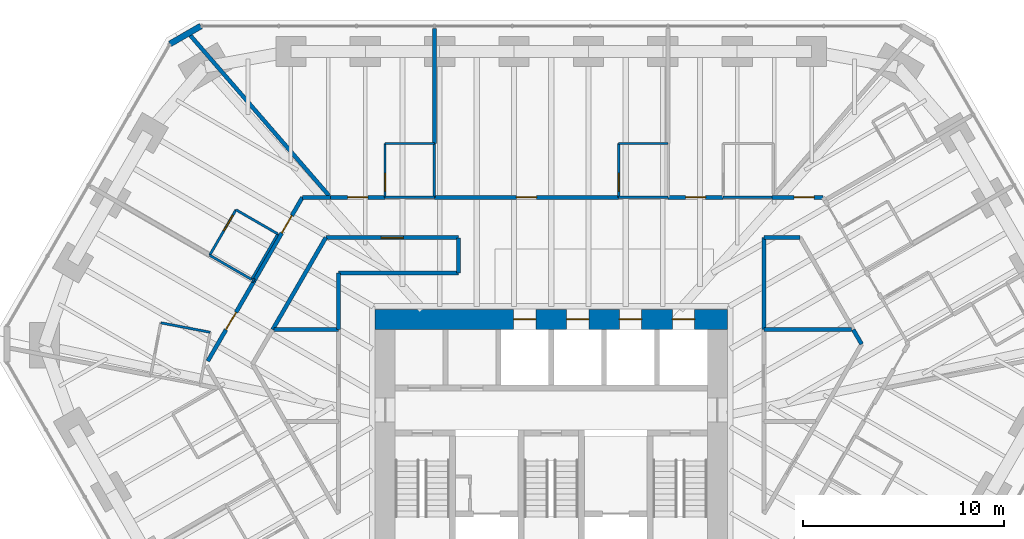
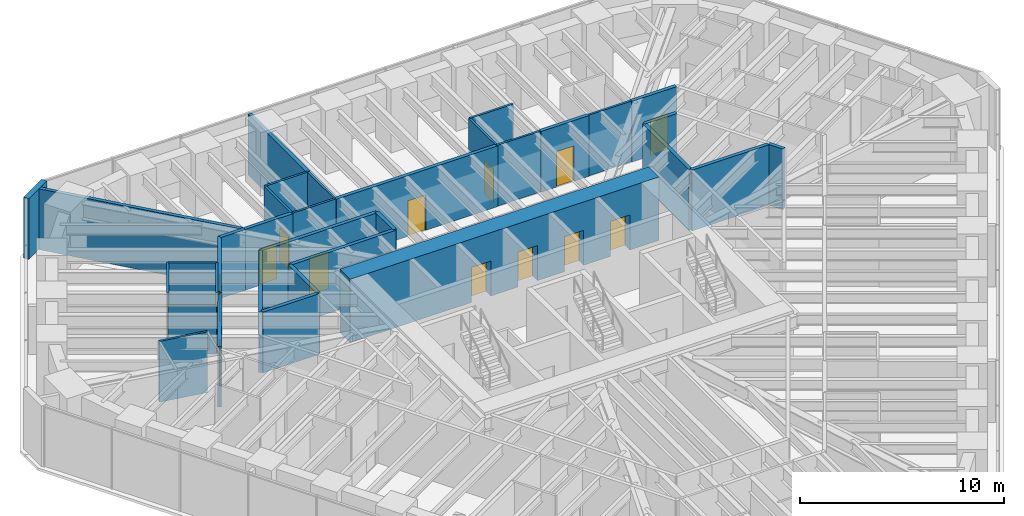
# One storey, part 14 of 17: 35 walls, 14 doors, 14 openings.
"""IFC4 building model written with IfcOpenShell, lengths in metres."""

import ifcopenshell
import ifcopenshell.guid

model = None  # the IFC model being written
_history = None  # IfcOwnerHistory: only IFC2X3 demands one
_inside = {}  # id of a spatial element -> (the spatial element, [elements in it])
_under = {}  # id of a project, library or spatial element -> (it, [spatial elements below it])
_declared = {}  # id of a project -> (the project, [libraries it declares])
_typed = {}  # id of a type object -> (the type object, [elements of that type])
_made_of = {}  # id of a material, layer set ... -> (it, [elements and type objects made of it])


def new_model(schema):
    """Start an empty IFC model of exactly this schema.

    Asked for "IFC4X3", IfcOpenShell would pick the latest addendum, in which some entities
    have other attributes; the version numbers below select the first issue.
    IFC2X3 requires an IfcOwnerHistory on every rooted entity: one is made here for all.
    """
    global model, _history
    if schema == "IFC4X3":
        model = ifcopenshell.file(schema_version=(4, 3, 0, 0))
    else:
        model = ifcopenshell.file(schema=schema)
    _inside.clear()
    _under.clear()
    _declared.clear()
    _typed.clear()
    _made_of.clear()
    _history = None
    if model.schema == "IFC2X3":
        org = make("IfcOrganization", Name="unknown")
        user = make(
            "IfcPersonAndOrganization",
            ThePerson=make("IfcPerson", FamilyName="unknown"),
            TheOrganization=org,
        )
        app = make(
            "IfcApplication",
            ApplicationDeveloper=org,
            Version="unknown",
            ApplicationFullName="unknown",
            ApplicationIdentifier="unknown",
        )
        _history = make(
            "IfcOwnerHistory",
            OwningUser=user,
            OwningApplication=app,
            ChangeAction="ADDED",
            CreationDate=0,
        )
    return model


def make(cls, **values):
    """One entity of the class cls with the attributes given. An attribute that is None is left unset."""
    return model.create_entity(
        cls, **{name: value for name, value in values.items() if value is not None}
    )


def rooted(cls, **values):
    """An entity with a GlobalId (a new one), such as an element, a storey or a relation."""
    return make(cls, GlobalId=ifcopenshell.guid.new(), OwnerHistory=_history, **values)


def si_unit(unit_type, name, prefix=None):
    """IfcSIUnit, for example si_unit("LENGTHUNIT", "METRE", prefix="MILLI")."""
    return make("IfcSIUnit", UnitType=unit_type, Prefix=prefix, Name=name)


def assignment(units):
    """IfcUnitAssignment: the units of a project."""
    return None if units is None else make("IfcUnitAssignment", Units=units)


def point(xyz):
    """IfcCartesianPoint."""
    return None if xyz is None else make("IfcCartesianPoint", Coordinates=xyz)


def direction(xyz):
    """IfcDirection."""
    return None if xyz is None else make("IfcDirection", DirectionRatios=xyz)


def frame(location, z_axis=None, x_axis=None):
    """IfcAxis2Placement3D, a coordinate frame: its origin and axes. An axis left out is left unset."""
    return make(
        "IfcAxis2Placement3D",
        Location=point(location),
        Axis=direction(z_axis),
        RefDirection=direction(x_axis),
    )


def frame_2d(location, x_axis=None):
    """IfcAxis2Placement2D, a coordinate frame in the plane: its origin and x axis."""
    return make(
        "IfcAxis2Placement2D", Location=point(location), RefDirection=direction(x_axis)
    )


def origin():
    """The frame at (0, 0, 0) with its axes left unset."""
    return frame((0.0, 0.0, 0.0))


def place(relative_to, where):
    """IfcLocalPlacement: puts the frame where relative to a parent placement (None: the world)."""
    return make(
        "IfcLocalPlacement", PlacementRelTo=relative_to, RelativePlacement=where
    )


def context(
    kind, dimensions, precision=None, world=None, true_north=None, identifier=None
):
    """IfcGeometricRepresentationContext, for example the 3D "Model" context."""
    return make(
        "IfcGeometricRepresentationContext",
        ContextIdentifier=identifier,
        ContextType=kind,
        CoordinateSpaceDimension=dimensions,
        Precision=precision,
        WorldCoordinateSystem=world,
        TrueNorth=true_north,
    )


def subcontext(parent, identifier, kind, view, scale=None):
    """IfcGeometricRepresentationSubContext, for example "Body" below "Model"."""
    return make(
        "IfcGeometricRepresentationSubContext",
        ContextIdentifier=identifier,
        ContextType=kind,
        ParentContext=parent,
        TargetScale=scale,
        TargetView=view,
    )


def project(units=None, contexts=None):
    """IfcProject with its units and contexts."""
    return rooted(
        "IfcProject",
        Name="project",
        RepresentationContexts=contexts,
        UnitsInContext=assignment(units),
    )


def spatial(cls, under=None, at=None, **own):
    """A site, building, storey or space (cls), placed at a placement, below another one or the project."""
    s = rooted(cls, ObjectPlacement=at, **own)
    if under is not None:
        _under.setdefault(under.id(), (under, []))[1].append(s)
    return s


def profile(cls, at=None, kind="AREA", **sizes):
    """A parametric profile (cls). Its sizes go by their IFC names, for example OverallWidth=200.0."""
    return make(cls, ProfileType=kind, Position=at, **sizes)


def rectangle(**sizes):
    """IfcRectangleProfileDef."""
    return profile("IfcRectangleProfileDef", **sizes)


def extrude(swept, where, along, depth):
    """IfcExtrudedAreaSolid: the profile swept, set in the frame where, extruded along a direction by depth."""
    return make(
        "IfcExtrudedAreaSolid",
        SweptArea=swept,
        Position=where,
        ExtrudedDirection=direction(along),
        Depth=depth,
    )


def shape(context_of_items, identifier, shape_type, items):
    """IfcShapeRepresentation: the items that make up one representation, for example the "Body"."""
    return make(
        "IfcShapeRepresentation",
        ContextOfItems=context_of_items,
        RepresentationIdentifier=identifier,
        RepresentationType=shape_type,
        Items=items,
    )


def material(Name=None, Category=None):
    """IfcMaterial."""
    return make("IfcMaterial", Name=Name, Category=Category)


def layer(
    of_material, thickness, ventilated=None, Name=None, Category=None, Priority=None
):
    """IfcMaterialLayer: one layer of a wall or slab, of a material (None: an air gap)."""
    return make(
        "IfcMaterialLayer",
        Material=of_material,
        LayerThickness=thickness,
        IsVentilated=ventilated,
        Name=Name,
        Category=Category,
        Priority=Priority,
    )


def layer_set(layers, Name=None):
    """IfcMaterialLayerSet."""
    return make("IfcMaterialLayerSet", MaterialLayers=layers, LayerSetName=Name)


def made_of(thing, what):
    """Note that an element or type object is made of a material, layer set ...; save() writes the relation."""
    if what is not None:
        _made_of.setdefault(what.id(), (what, []))[1].append(thing)
    return thing


def type_object(cls, material=None, **own):
    """A type object (cls), such as IfcWallType, which elements share."""
    return made_of(rooted(cls, **own), material)


def element(
    cls,
    number,
    at=None,
    inside=None,
    cuts=None,
    type_object=None,
    material=None,
    context=None,
    identifier="Body",
    shape_type=None,
    held_by="IfcProductDefinitionShape",
    body=None,
    shapes=None,
    **own,
):
    """One element of the class cls, such as IfcWall. Its Tag is "e" and its number.

    at: its placement. inside: the storey or other place that contains it. cuts: it is an
    opening in that element (IfcRelVoidsElement). A single representation is given by context,
    identifier, shape_type and body (its items); several are given by shapes. held_by: the class
    of the entity that holds the representations. save() writes the other relations.
    """
    e = rooted(cls, Tag="e%d" % number, ObjectPlacement=at, **own)
    if body is not None:
        shapes = [shape(context, identifier, shape_type, body)]
    if shapes is not None:
        e.Representation = make(held_by, Representations=shapes)
    if inside is not None:
        _inside.setdefault(inside.id(), (inside, []))[1].append(e)
    if cuts is not None:
        rooted(
            "IfcRelVoidsElement", RelatingBuildingElement=cuts, RelatedOpeningElement=e
        )
    if type_object is not None:
        _typed.setdefault(type_object.id(), (type_object, []))[1].append(e)
    return made_of(e, material)


def fill(opening, filler):
    """IfcRelFillsElement: the door or window that sits in an opening."""
    return rooted(
        "IfcRelFillsElement",
        RelatingOpeningElement=opening,
        RelatedBuildingElement=filler,
    )


def aggregate(whole, parts):
    """IfcRelAggregates: a whole, such as a stair, and the parts it consists of."""
    return rooted("IfcRelAggregates", RelatingObject=whole, RelatedObjects=parts)


def save(model, path):
    """Write the relations noted so far, then the file.

    IfcRelAggregates (storeys below a building ...), IfcRelContainedInSpatialStructure (elements
    in a storey), IfcRelDefinesByType, IfcRelAssociatesMaterial and IfcRelDeclares: one each for
    every whole, place, type object, material and project.
    """
    for whole, parts in _under.values():
        aggregate(whole, parts)
    for where, things in _inside.values():
        rooted(
            "IfcRelContainedInSpatialStructure",
            RelatedElements=things,
            RelatingStructure=where,
        )
    for kind, things in _typed.values():
        rooted("IfcRelDefinesByType", RelatedObjects=things, RelatingType=kind)
    for what, things in _made_of.values():
        rooted("IfcRelAssociatesMaterial", RelatedObjects=things, RelatingMaterial=what)
    for by, libraries in _declared.values():
        rooted("IfcRelDeclares", RelatingContext=by, RelatedDefinitions=libraries)
    model.write(path)


model = new_model("IFC4")

# Units and contexts
model_context = context("Model", 3, precision=1e-05, world=origin(), true_north=direction((0.0, 1.0)))
body_context = subcontext(model_context, "Body", "Model", "MODEL_VIEW")
ifc_project = project(units=[si_unit("LENGTHUNIT", "METRE"), si_unit("AREAUNIT", "SQUARE_METRE"), si_unit("VOLUMEUNIT", "CUBIC_METRE"), si_unit("PLANEANGLEUNIT", "RADIAN"), si_unit("MASSUNIT", "GRAM", prefix="KILO")], contexts=[model_context])

# Site, building, storey
site_placement = place(None, origin())
site = spatial("IfcSite", under=ifc_project, at=site_placement, CompositionType="ELEMENT")
building_placement = place(site_placement, origin())
building = spatial("IfcBuilding", under=site, at=building_placement, Name="Sandreach Pilgrim Tower", CompositionType="ELEMENT")
storey_placement = place(building_placement, frame((0.0, 0.0, 221.199951171875)))
storey = spatial("IfcBuildingStorey", under=building, at=storey_placement, Name="L55", CompositionType="ELEMENT", Elevation=221.199951171875)

# Walls
ifc_material_1 = material(Name="Moisture-resistant gypsum board on steel studs", Category="steel")
ifc_layer_1 = layer(ifc_material_1, 0.1201171875)
ifc_layer_set_1 = layer_set([ifc_layer_1], Name="Bathroom partition 120")
wall_type_1 = type_object("IfcWallType", Name="Bathroom partition 120", PredefinedType="PARTITIONING", material=ifc_layer_set_1)
wall_1_placement = place(storey_placement, frame((-16.953857421875, 9.783447265625, 0.0), z_axis=(0.0, 0.0, 1.0), x_axis=(0.865862137391, -0.500282679124, 0.0)))
element("IfcWall", 1, at=wall_1_placement, inside=storey, type_object=wall_type_1, Name="Bathroom partition L55-010", PredefinedType="PARTITIONING", context=body_context, shape_type="SweptSolid", body=[
    extrude(rectangle(XDim=2.4013671875, YDim=0.1201171875, at=frame_2d((1.20068359375, 0.0))), origin(), (0.0, 0.0, 1.0), 2.8779296875),
])
wall_2_placement = place(storey_placement, frame((-16.929931640625, 5.9599609375, 0.0), z_axis=(0.0, 0.0, 1.0), x_axis=(-0.982097071605, 0.18837553436, 0.0)))
element("IfcWall", 2, at=wall_2_placement, inside=storey, type_object=wall_type_1, Name="Bathroom partition L55-012", PredefinedType="PARTITIONING", context=body_context, shape_type="SweptSolid", body=[
    extrude(rectangle(XDim=2.494873046875, YDim=0.1201171875, at=frame_2d((1.24755859375, 0.0))), origin(), (0.0, 0.0, 1.0), 3.64013671875),
])

# Wall, opening, door
wall_3_placement = place(storey_placement, frame((-15.64990234375, 12.0400390625, 0.0), z_axis=(0.0, 0.0, 1.0), x_axis=(-0.500291685314, -0.865856933682, 0.0)))
wall_3 = element("IfcWall", 3, at=wall_3_placement, inside=storey, type_object=wall_type_1, Name="Bathroom partition L55-017", PredefinedType="PARTITIONING", context=body_context, shape_type="SweptSolid", body=[
    extrude(rectangle(XDim=2.5986328125, YDim=0.1201171875, at=frame_2d((1.29931640625, 0.0))), origin(), (0.0, 0.0, 1.0), 3.64013671875),
])
opening_1_placement = place(wall_3_placement, frame((0.300048828125, 0.0, 0.0)))
opening_1 = element("IfcOpeningElement", 4, at=opening_1_placement, cuts=wall_3, Name="Opening D09-19B", PredefinedType="OPENING", context=body_context, shape_type="SweptSolid", body=[
    extrude(rectangle(XDim=0.89990234375, YDim=2.030029296875, at=frame_2d((0.449951171875, 1.01513671875))), frame((0.0, 0.06005859375, 0.0), z_axis=(0.0, -1.0, 0.0), x_axis=(1.0, 0.0, 0.0)), (0.0, 0.0, 1.0), 0.1201171875),
])
ifc_material_2 = material(Name="Timber door, steel frame", Category="steel")
door_type_1 = type_object("IfcDoorType", Name="Bathroom door", OperationType="SINGLE_SWING_LEFT", PredefinedType="DOOR", material=ifc_material_2)
door_1_placement = place(opening_1_placement, origin())
door_1 = element("IfcDoor", 5, at=door_1_placement, inside=storey, type_object=door_type_1, Name="Door 5519B", OperationType="SINGLE_SWING_LEFT", OverallHeight=2.030029296875, OverallWidth=0.89990234375, PredefinedType="DOOR", context=body_context, shape_type="SweptSolid", body=[
    extrude(rectangle(XDim=0.89990234375, YDim=2.030029296875, at=frame_2d((0.449951171875, 1.01513671875))), frame((0.0, 0.02490234375, 0.0), z_axis=(0.0, -1.0, 0.0), x_axis=(1.0, 0.0, 0.0)), (0.0, 0.0, 1.0), 0.050048828125),
])
fill(opening_1, door_1)

# Walls
wall_4_placement = place(storey_placement, frame((-14.8701171875, 8.590087890625, 0.0), z_axis=(0.0, 0.0, 1.0), x_axis=(0.500291685314, 0.865856933682, 0.0)))
element("IfcWall", 6, at=wall_4_placement, inside=storey, type_object=wall_type_1, Name="Bathroom partition L55-021", PredefinedType="PARTITIONING", context=body_context, shape_type="SweptSolid", body=[
    extrude(rectangle(XDim=2.5986328125, YDim=0.1201171875, at=frame_2d((1.29931640625, 0.0))), origin(), (0.0, 0.0, 1.0), 3.64013671875),
])
wall_5_placement = place(storey_placement, frame((-13.570068359375, 10.840087890625, 0.0), z_axis=(0.0, 0.0, 1.0), x_axis=(-0.866177122335, 0.499737123639, 0.0)))
element("IfcWall", 7, at=wall_5_placement, inside=storey, type_object=wall_type_1, Name="Bathroom partition L55-029", PredefinedType="PARTITIONING", context=body_context, shape_type="SweptSolid", body=[
    extrude(rectangle(XDim=2.401123046875, YDim=0.1201171875, at=frame_2d((1.20068359375, 0.0))), origin(), (0.0, 0.0, 1.0), 3.64013671875),
])

# Wall, opening, door
wall_6_placement = place(storey_placement, frame((-8.25, 15.330078125, 0.0), z_axis=(0.0, 0.0, 1.0), x_axis=(0.0, -1.0, 0.0)))
wall_6 = element("IfcWall", 8, at=wall_6_placement, inside=storey, type_object=wall_type_1, Name="Bathroom partition L55-045", PredefinedType="PARTITIONING", context=body_context, shape_type="SweptSolid", body=[
    extrude(rectangle(XDim=2.670166015625, YDim=0.1201171875, at=frame_2d((1.3349609375, 0.0))), origin(), (0.0, 0.0, 1.0), 3.64013671875),
])
opening_2_placement = place(wall_6_placement, frame((1.469970703125, 0.0, 0.0)))
opening_2 = element("IfcOpeningElement", 9, at=opening_2_placement, cuts=wall_6, Name="Opening D09-01B", PredefinedType="OPENING", context=body_context, shape_type="SweptSolid", body=[
    extrude(rectangle(XDim=0.89990234375, YDim=2.030029296875, at=frame_2d((0.449951171875, 1.01513671875))), frame((0.0, 0.06005859375, 0.0), z_axis=(0.0, -1.0, 0.0), x_axis=(1.0, 0.0, 0.0)), (0.0, 0.0, 1.0), 0.1201171875),
])
door_2_placement = place(opening_2_placement, origin())
door_2 = element("IfcDoor", 10, at=door_2_placement, inside=storey, type_object=door_type_1, Name="Door 5501B", OperationType="SINGLE_SWING_RIGHT", OverallHeight=2.030029296875, OverallWidth=0.89990234375, PredefinedType="DOOR", context=body_context, shape_type="SweptSolid", body=[
    extrude(rectangle(XDim=0.89990234375, YDim=2.030029296875, at=frame_2d((0.449951171875, 1.01513671875))), frame((0.0, 0.02490234375, 0.0), z_axis=(0.0, -1.0, 0.0), x_axis=(1.0, 0.0, 0.0)), (0.0, 0.0, 1.0), 0.050048828125),
])
fill(opening_2, door_2)

# Walls
for number, where, z_axis, x_axis, name in (
    (11, (-5.800048828125, 12.659912109375, 0.0), (0.0, 0.0, 1.0), (-1.0, 0.0, 0.0), "Bathroom partition L55-050"),
    (12, (-5.800048828125, 15.330078125, 0.0), (0.0, 0.0, 1.0), (-1.0, 0.0, 0.0), "Bathroom partition L55-051"),
):
    element("IfcWall", number, at=place(storey_placement, frame(where, z_axis=z_axis, x_axis=x_axis)), inside=storey, type_object=wall_type_1, Name=name, PredefinedType="PARTITIONING", context=body_context, shape_type="SweptSolid", body=[
        extrude(rectangle(XDim=2.449951171875, YDim=0.1201171875, at=frame_2d((1.22509765625, 0.0))), origin(), (0.0, 0.0, 1.0), 3.64013671875),
    ])
wall_7_placement = place(storey_placement, frame((-5.800048828125, 15.330078125, 0.0), z_axis=(0.0, 0.0, 1.0), x_axis=(0.0, -1.0, 0.0)))
element("IfcWall", 13, at=wall_7_placement, inside=storey, type_object=wall_type_1, Name="Bathroom partition L55-052", PredefinedType="PARTITIONING", context=body_context, shape_type="SweptSolid", body=[
    extrude(rectangle(XDim=2.670166015625, YDim=0.1201171875, at=frame_2d((1.3349609375, 0.0))), origin(), (0.0, 0.0, 1.0), 3.64013671875),
])

# Wall, opening, door
wall_8_placement = place(storey_placement, frame((3.35009765625, 15.330078125, 0.0), z_axis=(0.0, 0.0, 1.0), x_axis=(0.0, -1.0, 0.0)))
wall_8 = element("IfcWall", 14, at=wall_8_placement, inside=storey, type_object=wall_type_1, Name="Bathroom partition L55-082", PredefinedType="PARTITIONING", context=body_context, shape_type="SweptSolid", body=[
    extrude(rectangle(XDim=2.670166015625, YDim=0.1201171875, at=frame_2d((1.3349609375, 0.0))), origin(), (0.0, 0.0, 1.0), 3.64013671875),
])
opening_3_placement = place(wall_8_placement, frame((1.469970703125, 0.0, 0.0)))
opening_3 = element("IfcOpeningElement", 15, at=opening_3_placement, cuts=wall_8, Name="Opening D09-02B", PredefinedType="OPENING", context=body_context, shape_type="SweptSolid", body=[
    extrude(rectangle(XDim=0.89990234375, YDim=2.030029296875, at=frame_2d((0.449951171875, 1.01513671875))), frame((0.0, 0.06005859375, 0.0), z_axis=(0.0, -1.0, 0.0), x_axis=(1.0, 0.0, 0.0)), (0.0, 0.0, 1.0), 0.1201171875),
])
door_3_placement = place(opening_3_placement, origin())
door_3 = element("IfcDoor", 16, at=door_3_placement, inside=storey, type_object=door_type_1, Name="Door 5502B", OperationType="SINGLE_SWING_RIGHT", OverallHeight=2.030029296875, OverallWidth=0.89990234375, PredefinedType="DOOR", context=body_context, shape_type="SweptSolid", body=[
    extrude(rectangle(XDim=0.89990234375, YDim=2.030029296875, at=frame_2d((0.449951171875, 1.01513671875))), frame((0.0, 0.02490234375, 0.0), z_axis=(0.0, -1.0, 0.0), x_axis=(1.0, 0.0, 0.0)), (0.0, 0.0, 1.0), 0.050048828125),
])
fill(opening_3, door_3)

# Walls
for number, where, z_axis, x_axis, name in (
    (17, (5.800048828125, 12.659912109375, 0.0), (0.0, 0.0, 1.0), (-1.0, 0.0, 0.0), "Bathroom partition L55-092"),
    (18, (5.800048828125, 15.330078125, 0.0), (0.0, 0.0, 1.0), (-1.0, 0.0, 0.0), "Bathroom partition L55-093"),
):
    element("IfcWall", number, at=place(storey_placement, frame(where, z_axis=z_axis, x_axis=x_axis)), inside=storey, type_object=wall_type_1, Name=name, PredefinedType="PARTITIONING", context=body_context, shape_type="SweptSolid", body=[
        extrude(rectangle(XDim=2.449951171875, YDim=0.1201171875, at=frame_2d((1.22509765625, 0.0))), origin(), (0.0, 0.0, 1.0), 3.64013671875),
    ])
wall_9_placement = place(storey_placement, frame((10.9599609375, 12.659912109375, 0.0), z_axis=(0.0, 0.0, 1.0), x_axis=(-1.0, 0.0, 0.0)))
element("IfcWall", 19, at=wall_9_placement, inside=storey, type_object=wall_type_1, Name="Bathroom partition L55-114", PredefinedType="PARTITIONING", context=body_context, shape_type="SweptSolid", body=[
    extrude(rectangle(XDim=2.429931640625, YDim=0.1201171875, at=frame_2d((1.21484375, 0.0))), origin(), (0.0, 0.0, 1.0), 3.64013671875),
])

# Wall, openings, doors
ifc_material_3 = material(Name="Concrete 10000 psi", Category="concrete")
ifc_layer_2 = layer(ifc_material_3, 1.0)
ifc_layer_set_2 = layer_set([ifc_layer_2], Name="Core wall 1000")
wall_type_2 = type_object("IfcWallType", Name="Core wall 1000", PredefinedType="SHEAR", material=ifc_layer_set_2)
wall_10_placement = place(storey_placement, frame((-8.75, 6.60009765625, 0.0), z_axis=(0.0, 0.0, 1.0), x_axis=(1.0, 0.0, 0.0)))
wall_10 = element("IfcWall", 20, at=wall_10_placement, inside=storey, type_object=wall_type_2, Name="Core wall N L55", PredefinedType="SHEAR", context=body_context, shape_type="SweptSolid", body=[
    extrude(rectangle(XDim=17.5, YDim=1.0, at=frame_2d((8.75, 0.0))), origin(), (0.0, 0.0, 1.0), 3.800048828125),
])
opening_4_placement = place(wall_10_placement, frame((6.887451171875, 0.0, 0.0)))
opening_4 = element("IfcOpeningElement", 21, at=opening_4_placement, cuts=wall_10, Name="Opening LD11", PredefinedType="OPENING", context=body_context, shape_type="SweptSolid", body=[
    extrude(rectangle(XDim=1.10009765625, YDim=2.10009765625, at=frame_2d((0.550048828125, 1.050048828125))), frame((0.0, 0.5, 0.0), z_axis=(0.0, -1.0, 0.0), x_axis=(1.0, 0.0, 0.0)), (0.0, 0.0, 1.0), 1.0),
])
opening_5_placement = place(wall_10_placement, frame((9.512451171875, 0.0, 0.0)))
opening_5 = element("IfcOpeningElement", 22, at=opening_5_placement, cuts=wall_10, Name="Opening LD11", PredefinedType="OPENING", context=body_context, shape_type="SweptSolid", body=[
    extrude(rectangle(XDim=1.10009765625, YDim=2.10009765625, at=frame_2d((0.550048828125, 1.050048828125))), frame((0.0, 0.5, 0.0), z_axis=(0.0, -1.0, 0.0), x_axis=(1.0, 0.0, 0.0)), (0.0, 0.0, 1.0), 1.0),
])
opening_6_placement = place(wall_10_placement, frame((12.137451171875, 0.0, 0.0)))
opening_6 = element("IfcOpeningElement", 23, at=opening_6_placement, cuts=wall_10, Name="Opening LD11", PredefinedType="OPENING", context=body_context, shape_type="SweptSolid", body=[
    extrude(rectangle(XDim=1.10009765625, YDim=2.10009765625, at=frame_2d((0.550048828125, 1.050048828125))), frame((0.0, 0.5, 0.0), z_axis=(0.0, -1.0, 0.0), x_axis=(1.0, 0.0, 0.0)), (0.0, 0.0, 1.0), 1.0),
])
opening_7_placement = place(wall_10_placement, frame((14.762451171875, 0.0, 0.0)))
opening_7 = element("IfcOpeningElement", 24, at=opening_7_placement, cuts=wall_10, Name="Opening LD11", PredefinedType="OPENING", context=body_context, shape_type="SweptSolid", body=[
    extrude(rectangle(XDim=1.10009765625, YDim=2.10009765625, at=frame_2d((0.550048828125, 1.050048828125))), frame((0.0, 0.5, 0.0), z_axis=(0.0, -1.0, 0.0), x_axis=(1.0, 0.0, 0.0)), (0.0, 0.0, 1.0), 1.0),
])
ifc_material_4 = material(Name="Steel door and frame", Category="steel")
door_type_2 = type_object("IfcDoorType", Name="Lift landing door", OperationType="DOUBLE_DOOR_SLIDING", PredefinedType="DOOR", material=ifc_material_4)
door_4_placement = place(opening_4_placement, origin())
door_4 = element("IfcDoor", 25, at=door_4_placement, inside=storey, type_object=door_type_2, Name="Lift landing door Z3A L55", OperationType="DOUBLE_DOOR_SLIDING", OverallHeight=2.10009765625, OverallWidth=1.10009765625, PredefinedType="DOOR", context=body_context, shape_type="SweptSolid", body=[
    extrude(rectangle(XDim=1.10009765625, YDim=2.10009765625, at=frame_2d((0.550048828125, 1.050048828125))), frame((0.0, 0.02490234375, 0.0), z_axis=(0.0, -1.0, 0.0), x_axis=(1.0, 0.0, 0.0)), (0.0, 0.0, 1.0), 0.050048828125),
])
fill(opening_4, door_4)
door_5_placement = place(opening_5_placement, origin())
door_5 = element("IfcDoor", 26, at=door_5_placement, inside=storey, type_object=door_type_2, Name="Lift landing door Z3B L55", OperationType="DOUBLE_DOOR_SLIDING", OverallHeight=2.10009765625, OverallWidth=1.10009765625, PredefinedType="DOOR", context=body_context, shape_type="SweptSolid", body=[
    extrude(rectangle(XDim=1.10009765625, YDim=2.10009765625, at=frame_2d((0.550048828125, 1.050048828125))), frame((0.0, 0.02490234375, 0.0), z_axis=(0.0, -1.0, 0.0), x_axis=(1.0, 0.0, 0.0)), (0.0, 0.0, 1.0), 0.050048828125),
])
fill(opening_5, door_5)
door_6_placement = place(opening_6_placement, origin())
door_6 = element("IfcDoor", 27, at=door_6_placement, inside=storey, type_object=door_type_2, Name="Lift landing door Z3C L55", OperationType="DOUBLE_DOOR_SLIDING", OverallHeight=2.10009765625, OverallWidth=1.10009765625, PredefinedType="DOOR", context=body_context, shape_type="SweptSolid", body=[
    extrude(rectangle(XDim=1.10009765625, YDim=2.10009765625, at=frame_2d((0.550048828125, 1.050048828125))), frame((0.0, 0.02490234375, 0.0), z_axis=(0.0, -1.0, 0.0), x_axis=(1.0, 0.0, 0.0)), (0.0, 0.0, 1.0), 0.050048828125),
])
fill(opening_6, door_6)
door_7_placement = place(opening_7_placement, origin())
door_7 = element("IfcDoor", 28, at=door_7_placement, inside=storey, type_object=door_type_2, Name="Lift landing door Z3D L55", OperationType="DOUBLE_DOOR_SLIDING", OverallHeight=2.10009765625, OverallWidth=1.10009765625, PredefinedType="DOOR", context=body_context, shape_type="SweptSolid", body=[
    extrude(rectangle(XDim=1.10009765625, YDim=2.10009765625, at=frame_2d((0.550048828125, 1.050048828125))), frame((0.0, 0.02490234375, 0.0), z_axis=(0.0, -1.0, 0.0), x_axis=(1.0, 0.0, 0.0)), (0.0, 0.0, 1.0), 0.050048828125),
])
fill(opening_7, door_7)

# Wall, opening, door
ifc_material_5 = material(Name="Gypsum board on steel studs, two layers each side", Category="steel")
ifc_layer_3 = layer(ifc_material_5, 0.199951171875)
ifc_layer_set_3 = layer_set([ifc_layer_3], Name="Corridor wall 200")
wall_type_3 = type_object("IfcWallType", Name="Corridor wall 200", PredefinedType="PARTITIONING", material=ifc_layer_set_3)
wall_11_placement = place(storey_placement, frame((-14.75, 8.510009765625, 0.0), z_axis=(0.0, 0.0, 1.0), x_axis=(0.500618647881, 0.86566793252, 0.0)))
wall_11 = element("IfcWall", 29, at=wall_11_placement, inside=storey, type_object=wall_type_3, Name="Corridor wall L55-024", PredefinedType="PARTITIONING", context=body_context, shape_type="SweptSolid", body=[
    extrude(rectangle(XDim=4.7939453125, YDim=0.199951171875, at=frame_2d((2.39697265625, 0.0))), origin(), (0.0, 0.0, 1.0), 3.64013671875),
])
opening_8_placement = place(wall_11_placement, frame((2.75, 0.0, 0.0)))
opening_8 = element("IfcOpeningElement", 30, at=opening_8_placement, cuts=wall_11, Name="Opening D10-19", PredefinedType="OPENING", context=body_context, shape_type="SweptSolid", body=[
    extrude(rectangle(XDim=1.0, YDim=2.1298828125, at=frame_2d((0.5, 1.06494140625))), frame((0.0, 0.10009765625, 0.0), z_axis=(0.0, -1.0, 0.0), x_axis=(1.0, 0.0, 0.0)), (0.0, 0.0, 1.0), 0.199951171875),
])
ifc_material_6 = material(Name="Steel door and frame", Category="steel")
door_type_3 = type_object("IfcDoorType", Name="Guest room entry door", OperationType="SINGLE_SWING_LEFT", PredefinedType="DOOR", material=ifc_material_6)
door_8_placement = place(opening_8_placement, origin())
door_8 = element("IfcDoor", 31, at=door_8_placement, inside=storey, type_object=door_type_3, Name="Door 5519", OperationType="SINGLE_SWING_RIGHT", OverallHeight=2.1298828125, OverallWidth=1.0, PredefinedType="DOOR", context=body_context, shape_type="SweptSolid", body=[
    extrude(rectangle(XDim=1.0, YDim=2.1298828125, at=frame_2d((0.5, 1.06494140625))), frame((0.0, 0.02490234375, 0.0), z_axis=(0.0, -1.0, 0.0), x_axis=(1.0, 0.0, 0.0)), (0.0, 0.0, 1.0), 0.050048828125),
])
fill(opening_8, door_8)

wall_12_placement = place(storey_placement, frame((-14.739990234375, 8.510009765625, 0.0), z_axis=(0.0, 0.0, 1.0), x_axis=(-0.501513165407, -0.865150012959, 0.0)))
wall_12 = element("IfcWall", 32, at=wall_12_placement, inside=storey, type_object=wall_type_3, Name="Corridor wall L55-025", PredefinedType="PARTITIONING", context=body_context, shape_type="SweptSolid", body=[
    extrude(rectangle(XDim=4.600341796875, YDim=0.199951171875, at=frame_2d((2.30029296875, 0.0))), origin(), (0.0, 0.0, 1.0), 3.64013671875),
])
opening_9_placement = place(wall_12_placement, frame((1.80029296875, 0.0, 0.0)))
opening_9 = element("IfcOpeningElement", 33, at=opening_9_placement, cuts=wall_12, Name="Opening D10-18", PredefinedType="OPENING", context=body_context, shape_type="SweptSolid", body=[
    extrude(rectangle(XDim=1.0, YDim=2.1298828125, at=frame_2d((0.5, 1.06494140625))), frame((0.0, 0.10009765625, 0.0), z_axis=(0.0, -1.0, 0.0), x_axis=(1.0, 0.0, 0.0)), (0.0, 0.0, 1.0), 0.199951171875),
])
door_9_placement = place(opening_9_placement, origin())
door_9 = element("IfcDoor", 34, at=door_9_placement, inside=storey, type_object=door_type_3, Name="Door 5518", OperationType="SINGLE_SWING_LEFT", OverallHeight=2.1298828125, OverallWidth=1.0, PredefinedType="DOOR", context=body_context, shape_type="SweptSolid", body=[
    extrude(rectangle(XDim=1.0, YDim=2.1298828125, at=frame_2d((0.5, 1.06494140625))), frame((0.0, 0.02490234375, 0.0), z_axis=(0.0, -1.0, 0.0), x_axis=(1.0, 0.0, 0.0)), (0.0, 0.0, 1.0), 0.050048828125),
])
fill(opening_9, door_9)

# Wall
wall_13_placement = place(storey_placement, frame((-13.830078125, 6.090087890625, 0.0), z_axis=(0.0, 0.0, 1.0), x_axis=(0.500248310865, 0.865881993967, 0.0)))
element("IfcWall", 35, at=wall_13_placement, inside=storey, type_object=wall_type_3, Name="Corridor wall L55-027", PredefinedType="PARTITIONING", context=body_context, shape_type="SweptSolid", body=[
    extrude(rectangle(XDim=5.277587890625, YDim=0.199951171875, at=frame_2d((2.638671875, 0.0))), origin(), (0.0, 0.0, 1.0), 3.64013671875),
])

# Wall, opening, door
wall_14_placement = place(storey_placement, frame((-11.18994140625, 10.659912109375, 0.0), z_axis=(0.0, 0.0, 1.0), x_axis=(1.0, 0.0, 0.0)))
wall_14 = element("IfcWall", 36, at=wall_14_placement, inside=storey, type_object=wall_type_3, Name="Corridor wall L55-032", PredefinedType="PARTITIONING", context=body_context, shape_type="SweptSolid", body=[
    extrude(rectangle(XDim=6.58984375, YDim=0.199951171875, at=frame_2d((3.294921875, 0.0))), origin(), (0.0, 0.0, 1.0), 3.64013671875),
])
opening_10_placement = place(wall_14_placement, frame((2.7451171875, 0.0, 0.0)))
opening_10 = element("IfcOpeningElement", 37, at=opening_10_placement, cuts=wall_14, Name="Opening D11H-M03", PredefinedType="OPENING", context=body_context, shape_type="SweptSolid", body=[
    extrude(rectangle(XDim=1.10009765625, YDim=2.199951171875, at=frame_2d((0.550048828125, 1.10009765625))), frame((0.0, 0.10009765625, 0.0), z_axis=(0.0, -1.0, 0.0), x_axis=(1.0, 0.0, 0.0)), (0.0, 0.0, 1.0), 0.199951171875),
])
ifc_material_7 = material(Name="Steel door and frame", Category="steel")
door_type_4 = type_object("IfcDoorType", Name="Back of house door", OperationType="SINGLE_SWING_LEFT", PredefinedType="DOOR", material=ifc_material_7)
door_10_placement = place(opening_10_placement, origin())
door_10 = element("IfcDoor", 38, at=door_10_placement, inside=storey, type_object=door_type_4, Name="Door 55M03", OperationType="SINGLE_SWING_LEFT", OverallHeight=2.199951171875, OverallWidth=1.10009765625, PredefinedType="DOOR", context=body_context, shape_type="SweptSolid", body=[
    extrude(rectangle(XDim=1.10009765625, YDim=2.199951171875, at=frame_2d((0.550048828125, 1.10009765625))), frame((0.0, 0.02490234375, 0.0), z_axis=(0.0, -1.0, 0.0), x_axis=(1.0, 0.0, 0.0)), (0.0, 0.0, 1.0), 0.050048828125),
])
fill(opening_10, door_10)

# Walls
wall_15_placement = place(storey_placement, frame((-10.9599609375, 12.659912109375, 0.0), z_axis=(0.0, 0.0, 1.0), x_axis=(-1.0, 0.0, 0.0)))
element("IfcWall", 39, at=wall_15_placement, inside=storey, type_object=wall_type_3, Name="Corridor wall L55-034", PredefinedType="PARTITIONING", context=body_context, shape_type="SweptSolid", body=[
    extrude(rectangle(XDim=1.39013671875, YDim=0.199951171875, at=frame_2d((0.695068359375, 0.0))), origin(), (0.0, 0.0, 1.0), 3.64013671875),
])
wall_16_placement = place(storey_placement, frame((-10.550048828125, 8.889892578125, 0.0), z_axis=(0.0, 0.0, 1.0), x_axis=(0.0, -1.0, 0.0)))
element("IfcWall", 40, at=wall_16_placement, inside=storey, type_object=wall_type_3, Name="Corridor wall L55-039", PredefinedType="PARTITIONING", context=body_context, shape_type="SweptSolid", body=[
    extrude(rectangle(XDim=2.7998046875, YDim=0.199951171875, at=frame_2d((1.39990234375, 0.0))), origin(), (0.0, 0.0, 1.0), 3.64013671875),
])

# Wall, opening, door
wall_17_placement = place(storey_placement, frame((-8.25, 12.659912109375, 0.0), z_axis=(0.0, 0.0, 1.0), x_axis=(-1.0, 0.0, 0.0)))
wall_17 = element("IfcWall", 41, at=wall_17_placement, inside=storey, type_object=wall_type_3, Name="Corridor wall L55-044", PredefinedType="PARTITIONING", context=body_context, shape_type="SweptSolid", body=[
    extrude(rectangle(XDim=2.7099609375, YDim=0.199951171875, at=frame_2d((1.35498046875, 0.0))), origin(), (0.0, 0.0, 1.0), 3.64013671875),
])
opening_11_placement = place(wall_17_placement, frame((0.85498046875, 0.0, 0.0)))
opening_11 = element("IfcOpeningElement", 42, at=opening_11_placement, cuts=wall_17, Name="Opening D10-01", PredefinedType="OPENING", context=body_context, shape_type="SweptSolid", body=[
    extrude(rectangle(XDim=1.0, YDim=2.1298828125, at=frame_2d((0.5, 1.06494140625))), frame((0.0, 0.10009765625, 0.0), z_axis=(0.0, -1.0, 0.0), x_axis=(1.0, 0.0, 0.0)), (0.0, 0.0, 1.0), 0.199951171875),
])
door_11_placement = place(opening_11_placement, origin())
door_11 = element("IfcDoor", 43, at=door_11_placement, inside=storey, type_object=door_type_3, Name="Door 5501", OperationType="SINGLE_SWING_LEFT", OverallHeight=2.1298828125, OverallWidth=1.0, PredefinedType="DOOR", context=body_context, shape_type="SweptSolid", body=[
    extrude(rectangle(XDim=1.0, YDim=2.1298828125, at=frame_2d((0.5, 1.06494140625))), frame((0.0, 0.02490234375, 0.0), z_axis=(0.0, -1.0, 0.0), x_axis=(1.0, 0.0, 0.0)), (0.0, 0.0, 1.0), 0.050048828125),
])
fill(opening_11, door_11)

# Walls
wall_18_placement = place(storey_placement, frame((-4.60009765625, 8.89990234375, 0.0), z_axis=(0.0, 0.0, 1.0), x_axis=(-1.0, 0.0, 0.0)))
element("IfcWall", 44, at=wall_18_placement, inside=storey, type_object=wall_type_3, Name="Corridor wall L55-055", PredefinedType="PARTITIONING", context=body_context, shape_type="SweptSolid", body=[
    extrude(rectangle(XDim=5.949951171875, YDim=0.199951171875, at=frame_2d((2.97509765625, 0.0))), origin(), (0.0, 0.0, 1.0), 3.64013671875),
])
wall_19_placement = place(storey_placement, frame((-4.60009765625, 10.64990234375, 0.0), z_axis=(0.0, 0.0, 1.0), x_axis=(0.0, -1.0, 0.0)))
element("IfcWall", 45, at=wall_19_placement, inside=storey, type_object=wall_type_3, Name="Corridor wall L55-056", PredefinedType="PARTITIONING", context=body_context, shape_type="SweptSolid", body=[
    extrude(rectangle(XDim=1.739990234375, YDim=0.199951171875, at=frame_2d((0.8701171875, 0.0))), origin(), (0.0, 0.0, 1.0), 3.64013671875),
])

# Wall, opening, door
wall_20_placement = place(storey_placement, frame((3.35009765625, 12.659912109375, 0.0), z_axis=(0.0, 0.0, 1.0), x_axis=(-1.0, 0.0, 0.0)))
wall_20 = element("IfcWall", 46, at=wall_20_placement, inside=storey, type_object=wall_type_3, Name="Corridor wall L55-081", PredefinedType="PARTITIONING", context=body_context, shape_type="SweptSolid", body=[
    extrude(rectangle(XDim=9.150146484375, YDim=0.199951171875, at=frame_2d((4.5751953125, 0.0))), origin(), (0.0, 0.0, 1.0), 3.64013671875),
])
opening_12_placement = place(wall_20_placement, frame((4.074951171875, 0.0, 0.0)))
opening_12 = element("IfcOpeningElement", 47, at=opening_12_placement, cuts=wall_20, Name="Opening D10-02", PredefinedType="OPENING", context=body_context, shape_type="SweptSolid", body=[
    extrude(rectangle(XDim=1.0, YDim=2.1298828125, at=frame_2d((0.5, 1.06494140625))), frame((0.0, 0.10009765625, 0.0), z_axis=(0.0, -1.0, 0.0), x_axis=(1.0, 0.0, 0.0)), (0.0, 0.0, 1.0), 0.199951171875),
])
door_12_placement = place(opening_12_placement, origin())
door_12 = element("IfcDoor", 48, at=door_12_placement, inside=storey, type_object=door_type_3, Name="Door 5502", OperationType="SINGLE_SWING_LEFT", OverallHeight=2.1298828125, OverallWidth=1.0, PredefinedType="DOOR", context=body_context, shape_type="SweptSolid", body=[
    extrude(rectangle(XDim=1.0, YDim=2.1298828125, at=frame_2d((0.5, 1.06494140625))), frame((0.0, 0.02490234375, 0.0), z_axis=(0.0, -1.0, 0.0), x_axis=(1.0, 0.0, 0.0)), (0.0, 0.0, 1.0), 0.050048828125),
])
fill(opening_12, door_12)

wall_21_placement = place(storey_placement, frame((8.530029296875, 12.659912109375, 0.0), z_axis=(0.0, 0.0, 1.0), x_axis=(-1.0, 0.0, 0.0)))
wall_21 = element("IfcWall", 49, at=wall_21_placement, inside=storey, type_object=wall_type_3, Name="Corridor wall L55-103", PredefinedType="PARTITIONING", context=body_context, shape_type="SweptSolid", body=[
    extrude(rectangle(XDim=2.72998046875, YDim=0.199951171875, at=frame_2d((1.364990234375, 0.0))), origin(), (0.0, 0.0, 1.0), 3.64013671875),
])
opening_13_placement = place(wall_21_placement, frame((0.864990234375, 0.0, 0.0)))
opening_13 = element("IfcOpeningElement", 50, at=opening_13_placement, cuts=wall_21, Name="Opening D10-03", PredefinedType="OPENING", context=body_context, shape_type="SweptSolid", body=[
    extrude(rectangle(XDim=1.0, YDim=2.1298828125, at=frame_2d((0.5, 1.06494140625))), frame((0.0, 0.10009765625, 0.0), z_axis=(0.0, -1.0, 0.0), x_axis=(1.0, 0.0, 0.0)), (0.0, 0.0, 1.0), 0.199951171875),
])
door_13_placement = place(opening_13_placement, origin())
door_13 = element("IfcDoor", 51, at=door_13_placement, inside=storey, type_object=door_type_3, Name="Door 5503", OperationType="SINGLE_SWING_LEFT", OverallHeight=2.1298828125, OverallWidth=1.0, PredefinedType="DOOR", context=body_context, shape_type="SweptSolid", body=[
    extrude(rectangle(XDim=1.0, YDim=2.1298828125, at=frame_2d((0.5, 1.06494140625))), frame((0.0, 0.02490234375, 0.0), z_axis=(0.0, -1.0, 0.0), x_axis=(1.0, 0.0, 0.0)), (0.0, 0.0, 1.0), 0.050048828125),
])
fill(opening_13, door_13)

# Walls
wall_22_placement = place(storey_placement, frame((10.550048828125, 6.090087890625, 0.0), z_axis=(0.0, 0.0, 1.0), x_axis=(0.0, 1.0, 0.0)))
element("IfcWall", 52, at=wall_22_placement, inside=storey, type_object=wall_type_3, Name="Corridor wall L55-111", PredefinedType="PARTITIONING", context=body_context, shape_type="SweptSolid", body=[
    extrude(rectangle(XDim=4.56982421875, YDim=0.199951171875, at=frame_2d((2.284912109375, 0.0))), origin(), (0.0, 0.0, 1.0), 3.64013671875),
])
wall_23_placement = place(storey_placement, frame((10.56005859375, 10.659912109375, 0.0), z_axis=(0.0, 0.0, 1.0), x_axis=(1.0, 0.0, 0.0)))
element("IfcWall", 53, at=wall_23_placement, inside=storey, type_object=wall_type_3, Name="Corridor wall L55-113", PredefinedType="PARTITIONING", context=body_context, shape_type="SweptSolid", body=[
    extrude(rectangle(XDim=1.7900390625, YDim=0.199951171875, at=frame_2d((0.89501953125, 0.0))), origin(), (0.0, 0.0, 1.0), 3.64013671875),
])

# Wall, opening, door
wall_24_placement = place(storey_placement, frame((13.5, 12.659912109375, 0.0), z_axis=(0.0, 0.0, 1.0), x_axis=(-1.0, 0.0, 0.0)))
wall_24 = element("IfcWall", 54, at=wall_24_placement, inside=storey, type_object=wall_type_3, Name="Corridor wall L55-121", PredefinedType="PARTITIONING", context=body_context, shape_type="SweptSolid", body=[
    extrude(rectangle(XDim=2.5400390625, YDim=0.199951171875, at=frame_2d((1.27001953125, 0.0))), origin(), (0.0, 0.0, 1.0), 3.64013671875),
])
opening_14_placement = place(wall_24_placement, frame((0.449951171875, 0.0, 0.0)))
opening_14 = element("IfcOpeningElement", 55, at=opening_14_placement, cuts=wall_24, Name="Opening D10-04", PredefinedType="OPENING", context=body_context, shape_type="SweptSolid", body=[
    extrude(rectangle(XDim=1.0, YDim=2.1298828125, at=frame_2d((0.5, 1.06494140625))), frame((0.0, 0.10009765625, 0.0), z_axis=(0.0, -1.0, 0.0), x_axis=(1.0, 0.0, 0.0)), (0.0, 0.0, 1.0), 0.199951171875),
])
door_14_placement = place(opening_14_placement, origin())
door_14 = element("IfcDoor", 56, at=door_14_placement, inside=storey, type_object=door_type_3, Name="Door 5504", OperationType="SINGLE_SWING_LEFT", OverallHeight=2.1298828125, OverallWidth=1.0, PredefinedType="DOOR", context=body_context, shape_type="SweptSolid", body=[
    extrude(rectangle(XDim=1.0, YDim=2.1298828125, at=frame_2d((0.5, 1.06494140625))), frame((0.0, 0.02490234375, 0.0), z_axis=(0.0, -1.0, 0.0), x_axis=(1.0, 0.0, 0.0)), (0.0, 0.0, 1.0), 0.050048828125),
])
fill(opening_14, door_14)

# Walls
wall_25_placement = place(storey_placement, frame((14.989990234375, 6.090087890625, 0.0), z_axis=(0.0, 0.0, 1.0), x_axis=(0.503816387241, -0.863810770914, 0.0)))
element("IfcWall", 57, at=wall_25_placement, inside=storey, type_object=wall_type_3, Name="Corridor wall L55-128", PredefinedType="PARTITIONING", context=body_context, shape_type="SweptSolid", body=[
    extrude(rectangle(XDim=0.83349609375, YDim=0.199951171875, at=frame_2d((0.416748046875, 0.0))), origin(), (0.0, 0.0, 1.0), 3.64013671875),
])
ifc_material_8 = material(Name="Double steel stud acoustic wall, gypsum board", Category="steel")
ifc_layer_4 = layer(ifc_material_8, 0.199951171875)
ifc_layer_set_4 = layer_set([ifc_layer_4], Name="Party wall 200")
wall_type_4 = type_object("IfcWallType", Name="Party wall 200", PredefinedType="PARTITIONING", material=ifc_layer_set_4)
wall_26_placement = place(storey_placement, frame((-14.826904296875, 8.554443359375, 0.0), z_axis=(0.0, 0.0, 1.0), x_axis=(0.865865073245, -0.500277597875, 0.0)))
element("IfcWall", 58, at=wall_26_placement, inside=storey, type_object=wall_type_4, Name="Party wall L55-023", PredefinedType="PARTITIONING", context=body_context, shape_type="SweptSolid", body=[
    extrude(rectangle(XDim=0.0888671875, YDim=0.199951171875, at=frame_2d((0.04443359375, 0.0))), origin(), (0.0, 0.0, 1.0), 3.64013671875),
])
wall_27_placement = place(storey_placement, frame((-13.7548828125, 6.090087890625, 0.0), z_axis=(0.0, 0.0, 1.0), x_axis=(1.0, 0.0, 0.0)))
element("IfcWall", 59, at=wall_27_placement, inside=storey, type_object=wall_type_4, Name="Party wall L55-028", PredefinedType="PARTITIONING", context=body_context, shape_type="SweptSolid", body=[
    extrude(rectangle(XDim=3.19482421875, YDim=0.199951171875, at=frame_2d((1.597412109375, 0.0))), origin(), (0.0, 0.0, 1.0), 3.64013671875),
])
wall_28_placement = place(storey_placement, frame((-11.02880859375, 12.739501953125, 0.0), z_axis=(0.0, 0.0, 1.0), x_axis=(-0.654429261747, 0.756123231603, 0.0)))
element("IfcWall", 60, at=wall_28_placement, inside=storey, type_object=wall_type_4, Name="Party wall L55-033", PredefinedType="PARTITIONING", context=body_context, shape_type="SweptSolid", body=[
    extrude(rectangle(XDim=10.683349609375, YDim=0.199951171875, at=frame_2d((5.341796875, 0.0))), origin(), (0.0, 0.0, 1.0), 3.64013671875),
])
wall_29_placement = place(storey_placement, frame((-5.800048828125, 21.0400390625, 0.0), z_axis=(0.0, 0.0, 1.0), x_axis=(0.0, -1.0, 0.0)))
element("IfcWall", 61, at=wall_29_placement, inside=storey, type_object=wall_type_4, Name="Party wall L55-053", PredefinedType="PARTITIONING", context=body_context, shape_type="SweptSolid", body=[
    extrude(rectangle(XDim=5.7099609375, YDim=0.199951171875, at=frame_2d((2.85498046875, 0.0))), origin(), (0.0, 0.0, 1.0), 3.64013671875),
])
wall_30_placement = place(storey_placement, frame((14.9150390625, 6.090087890625, 0.0), z_axis=(0.0, 0.0, 1.0), x_axis=(-1.0, 0.0, 0.0)))
element("IfcWall", 62, at=wall_30_placement, inside=storey, type_object=wall_type_4, Name="Party wall L55-127", PredefinedType="PARTITIONING", context=body_context, shape_type="SweptSolid", body=[
    extrude(rectangle(XDim=4.35498046875, YDim=0.199951171875, at=frame_2d((2.177490234375, 0.0))), origin(), (0.0, 0.0, 1.0), 3.64013671875),
])
ifc_material_9 = material(Name="Terracotta rainscreen on concrete", Category="masonry")
ifc_layer_5 = layer(ifc_material_9, 0.300048828125)
ifc_layer_set_5 = layer_set([ifc_layer_5], Name="Terracotta chamfer pier")
wall_type_5 = type_object("IfcWallType", Name="Terracotta chamfer pier", PredefinedType="SOLIDWALL", material=ifc_layer_set_5)
wall_31_placement = place(storey_placement, frame((-18.9228515625, 20.275146484375, 0.0), z_axis=(0.0, 0.0, 1.0), x_axis=(0.866036293601, 0.499981137809, 0.0)))
element("IfcWall", 63, at=wall_31_placement, inside=storey, type_object=wall_type_5, Name="Chamfer pier L55 NW", PredefinedType="SOLIDWALL", context=body_context, shape_type="SweptSolid", body=[
    extrude(rectangle(XDim=1.77001953125, YDim=0.300048828125, at=frame_2d((0.885009765625, 0.0))), origin(), (0.0, 0.0, 1.0), 3.64013671875),
])

save(model, "model.ifc")
